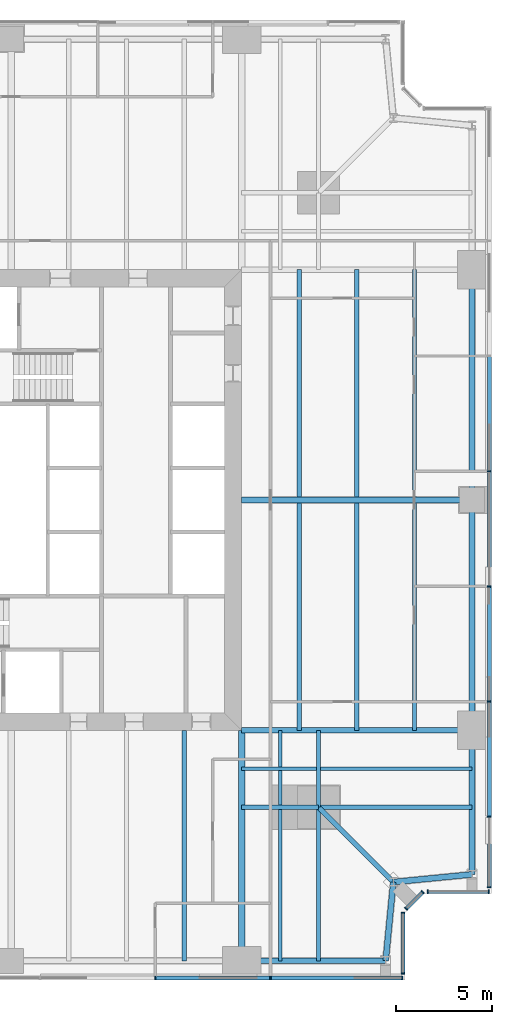
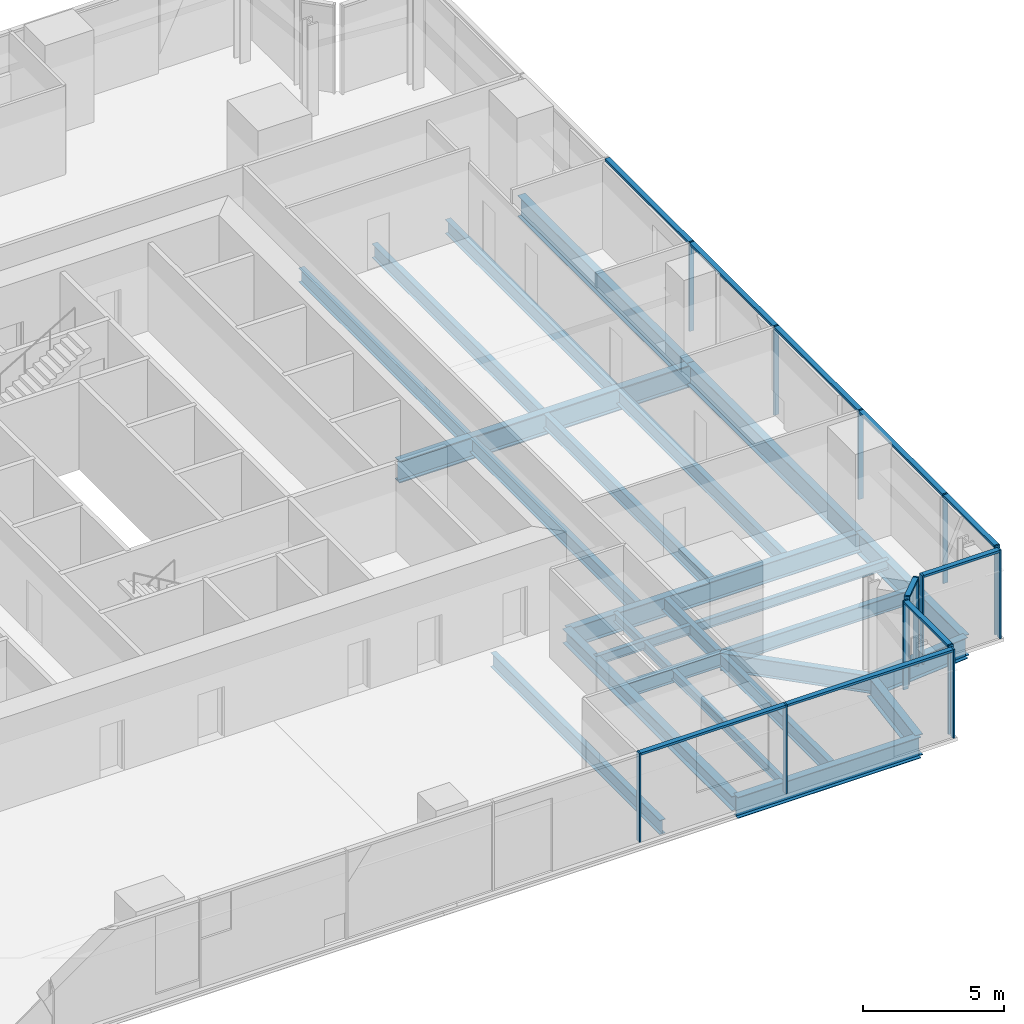
# One storey, part 5 of 14: 26 beams, 24 members, 5 elements without a shape of their own.
"""IFC4 building model written with IfcOpenShell, lengths in metres."""

from ifc_helpers import new_model, si_unit, direction, frame, origin, origin_2d, place, context, subcontext, project, spatial, rectangle, i_section, extrude, material, material_profile, profile_set, type_object, element, aggregate, save


model = new_model("IFC4")

# Units and contexts
model_context = context("Model", 3, precision=1e-05, world=origin(), true_north=direction((0.0, 1.0)))
body_context = subcontext(model_context, "Body", "Model", "MODEL_VIEW")
ifc_project = project(units=[si_unit("LENGTHUNIT", "METRE"), si_unit("AREAUNIT", "SQUARE_METRE"), si_unit("VOLUMEUNIT", "CUBIC_METRE"), si_unit("PLANEANGLEUNIT", "RADIAN"), si_unit("MASSUNIT", "GRAM", prefix="KILO")], contexts=[model_context])

# Site, building, storey
site_placement = place(None, origin())
site = spatial("IfcSite", under=ifc_project, at=site_placement, CompositionType="ELEMENT")
building_placement = place(site_placement, origin())
building = spatial("IfcBuilding", under=site, at=building_placement, Name="Fenwick Lantern Interchange", CompositionType="ELEMENT")
storey_placement = place(building_placement, frame((0.0, 0.0, 134.39990234375)))
storey = spatial("IfcBuildingStorey", under=building, at=storey_placement, Name="L31", CompositionType="ELEMENT", Elevation=134.39990234375)

# Beams
ifc_material_1 = material(Name="Steel ASTM A992 Grade 50", Category="steel")
ifc_material_profile_1 = material_profile(ifc_material_1, i_section(OverallWidth=0.3046875, OverallDepth=0.911865234375, WebThickness=0.015869140625, FlangeThickness=0.02392578125, at=origin_2d()), Name="W36X150")
ifc_profile_set_1 = profile_set([ifc_material_profile_1], Name="Steel ASTM A992 Grade 50")
beam_type_1 = type_object("IfcBeamType", Name="EDGE BEAM W36X150", PredefinedType="SPANDREL", material=ifc_profile_set_1)
beam_1_placement = place(storey_placement, frame((37.0, 1.0, -0.605712890625), z_axis=(1.0, 0.0, 0.0), x_axis=(0.0, 1.0, 0.0)))
element("IfcBeam", 1, at=beam_1_placement, inside=storey, type_object=beam_type_1, Name="L31/FR/S/EB4", PredefinedType="SPANDREL", context=body_context, shape_type="SweptSolid", body=[
    extrude(i_section(OverallWidth=0.3046875, OverallDepth=0.911865234375, WebThickness=0.015869140625, FlangeThickness=0.02392578125, at=origin_2d()), origin(), (0.0, 0.0, 1.0), 7.5),
])
for number, where, z_axis, x_axis, name in (
    (2, (44.5, 1.0, -0.605712890625), (0.097074191287, 0.995277148028, 0.0), (-0.995277148028, 0.097074191287, 0.0), "L31/FR/S/EBR1"),
    (3, (44.89990234375, 5.10009765625, -0.605712890625), (0.995277148028, 0.097074191287, 0.0), (-0.097074191287, 0.995277148028, 0.0), "L31/FR/S/EBR2"),
):
    element("IfcBeam", number, at=place(storey_placement, frame(where, z_axis=z_axis, x_axis=x_axis)), inside=storey, type_object=beam_type_1, Name=name, PredefinedType="SPANDREL", context=body_context, shape_type="SweptSolid", body=[
        extrude(i_section(OverallWidth=0.3046875, OverallDepth=0.911865234375, WebThickness=0.015869140625, FlangeThickness=0.02392578125, at=origin_2d()), origin(), (0.0, 0.0, 1.0), 4.11962890625),
    ])
beam_2_placement = place(storey_placement, frame((49.0, 5.5, -0.605712890625), z_axis=(0.0, 1.0, 0.0), x_axis=(-1.0, 0.0, 0.0)))
element("IfcBeam", 4, at=beam_2_placement, inside=storey, type_object=beam_type_1, Name="L31/FR/E/EB1", PredefinedType="SPANDREL", context=body_context, shape_type="SweptSolid", body=[
    extrude(i_section(OverallWidth=0.3046875, OverallDepth=0.911865234375, WebThickness=0.015869140625, FlangeThickness=0.02392578125, at=origin_2d()), origin(), (0.0, 0.0, 1.0), 7.5),
])
for number, where, z_axis, x_axis, name in (
    (5, (49.0, 13.0, -0.605712890625), (0.0, 1.0, 0.0), (-1.0, 0.0, 0.0), "L31/FR/E/EB2"),
    (6, (49.0, 25.0, -0.605712890625), (0.0, 1.0, 0.0), (-1.0, 0.0, 0.0), "L31/FR/E/EB3"),
):
    element("IfcBeam", number, at=place(storey_placement, frame(where, z_axis=z_axis, x_axis=x_axis)), inside=storey, type_object=beam_type_1, Name=name, PredefinedType="SPANDREL", context=body_context, shape_type="SweptSolid", body=[
        extrude(i_section(OverallWidth=0.3046875, OverallDepth=0.911865234375, WebThickness=0.015869140625, FlangeThickness=0.02392578125, at=origin_2d()), origin(), (0.0, 0.0, 1.0), 12.0),
    ])
ifc_material_profile_2 = material_profile(ifc_material_1, i_section(OverallWidth=0.22900390625, OverallDepth=0.612060546875, WebThickness=0.011962890625, FlangeThickness=0.01953125, at=origin_2d()), Name="W24X84")
ifc_profile_set_2 = profile_set([ifc_material_profile_2], Name="Steel ASTM A992 Grade 50")
beam_type_2 = type_object("IfcBeamType", Name="FLOOR BEAM W24X84", PredefinedType="BEAM", material=ifc_profile_set_2)
beam_3_placement = place(storey_placement, frame((34.0, 1.0, -0.4560546875), z_axis=(0.0, 1.0, 0.0), x_axis=(-1.0, 0.0, 0.0)))
element("IfcBeam", 7, at=beam_3_placement, inside=storey, type_object=beam_type_2, Name="L31/FR/S/R08", PredefinedType="BEAM", context=body_context, shape_type="SweptSolid", body=[
    extrude(i_section(OverallWidth=0.22900390625, OverallDepth=0.612060546875, WebThickness=0.011962890625, FlangeThickness=0.01953125, at=origin_2d()), origin(), (0.0, 0.0, 1.0), 12.0),
])
for number, where, z_axis, x_axis, name in (
    (8, (46.0, 13.0, -0.4560546875), (0.0, 1.0, 0.0), (-1.0, 0.0, 0.0), "L31/FR/E/B01"),
    (9, (43.0, 13.0, -0.4560546875), (0.0, 1.0, 0.0), (-1.0, 0.0, 0.0), "L31/FR/E/B02"),
    (10, (40.0, 13.0, -0.4560546875), (0.0, 1.0, 0.0), (-1.0, 0.0, 0.0), "L31/FR/E/B03"),
    (11, (46.0, 25.155029296875, -0.4560546875), (0.0, 1.0, 0.0), (-1.0, 0.0, 0.0), "L31/FR/E/B04"),
    (12, (43.0, 25.155029296875, -0.4560546875), (0.0, 1.0, 0.0), (-1.0, 0.0, 0.0), "L31/FR/E/B05"),
    (13, (40.0, 25.155029296875, -0.4560546875), (0.0, 1.0, 0.0), (-1.0, 0.0, 0.0), "L31/FR/E/B06"),
):
    element("IfcBeam", number, at=place(storey_placement, frame(where, z_axis=z_axis, x_axis=x_axis)), inside=storey, type_object=beam_type_2, Name=name, PredefinedType="BEAM", context=body_context, shape_type="SweptSolid", body=[
        extrude(i_section(OverallWidth=0.22900390625, OverallDepth=0.612060546875, WebThickness=0.011962890625, FlangeThickness=0.01953125, at=origin_2d()), origin(), (0.0, 0.0, 1.0), 11.844970703125),
    ])
ifc_material_profile_3 = material_profile(ifc_material_1, i_section(OverallWidth=0.177734375, OverallDepth=0.406494140625, WebThickness=0.0078125, FlangeThickness=0.012939453125, at=origin_2d()), Name="W16X40")
ifc_profile_set_3 = profile_set([ifc_material_profile_3], Name="Steel ASTM A992 Grade 50")
beam_type_3 = type_object("IfcBeamType", Name="INFILL BEAM W16X40", PredefinedType="JOIST", material=ifc_profile_set_3)
beam_4_placement = place(storey_placement, frame((49.0, 11.0, -0.35302734375), z_axis=(-1.0, 0.0, 0.0), x_axis=(0.0, -1.0, 0.0)))
element("IfcBeam", 14, at=beam_4_placement, inside=storey, type_object=beam_type_3, Name="L31/FR/E/J1", PredefinedType="JOIST", context=body_context, shape_type="SweptSolid", body=[
    extrude(i_section(OverallWidth=0.177734375, OverallDepth=0.406494140625, WebThickness=0.0078125, FlangeThickness=0.012939453125, at=origin_2d()), origin(), (0.0, 0.0, 1.0), 7.885498046875),
])
beam_5_placement = place(storey_placement, frame((40.885498046875, 11.0, -0.35302734375), z_axis=(-1.0, 0.0, 0.0), x_axis=(0.0, -1.0, 0.0)))
element("IfcBeam", 15, at=beam_5_placement, inside=storey, type_object=beam_type_3, Name="L31/FR/E/J2", PredefinedType="JOIST", context=body_context, shape_type="SweptSolid", body=[
    extrude(i_section(OverallWidth=0.177734375, OverallDepth=0.406494140625, WebThickness=0.0078125, FlangeThickness=0.012939453125, at=origin_2d()), origin(), (0.0, 0.0, 1.0), 3.885498046875),
])
beam_6_placement = place(storey_placement, frame((39.0, 1.0, -0.35302734375), z_axis=(0.0, 1.0, 0.0), x_axis=(-1.0, 0.0, 0.0)))
element("IfcBeam", 16, at=beam_6_placement, inside=storey, type_object=beam_type_3, Name="L31/FR/E/J3", PredefinedType="JOIST", context=body_context, shape_type="SweptSolid", body=[
    extrude(i_section(OverallWidth=0.177734375, OverallDepth=0.406494140625, WebThickness=0.0078125, FlangeThickness=0.012939453125, at=origin_2d()), origin(), (0.0, 0.0, 1.0), 7.885498046875),
])
beam_7_placement = place(storey_placement, frame((39.0, 9.114501953125, -0.35302734375), z_axis=(0.0, 1.0, 0.0), x_axis=(-1.0, 0.0, 0.0)))
element("IfcBeam", 17, at=beam_7_placement, inside=storey, type_object=beam_type_3, Name="L31/FR/E/J4", PredefinedType="JOIST", context=body_context, shape_type="SweptSolid", body=[
    extrude(i_section(OverallWidth=0.177734375, OverallDepth=0.406494140625, WebThickness=0.0078125, FlangeThickness=0.012939453125, at=origin_2d()), origin(), (0.0, 0.0, 1.0), 1.796630859375),
])
beam_8_placement = place(storey_placement, frame((39.0, 11.0888671875, -0.35302734375), z_axis=(0.0, 1.0, 0.0), x_axis=(-1.0, 0.0, 0.0)))
element("IfcBeam", 18, at=beam_8_placement, inside=storey, type_object=beam_type_3, Name="L31/FR/E/J5", PredefinedType="JOIST", context=body_context, shape_type="SweptSolid", body=[
    extrude(i_section(OverallWidth=0.177734375, OverallDepth=0.406494140625, WebThickness=0.0078125, FlangeThickness=0.012939453125, at=origin_2d()), origin(), (0.0, 0.0, 1.0), 1.9111328125),
])
ifc_material_profile_4 = material_profile(ifc_material_1, i_section(OverallWidth=0.22900390625, OverallDepth=0.612060546875, WebThickness=0.011962890625, FlangeThickness=0.01953125, at=origin_2d()), Name="W24X84")
ifc_profile_set_4 = profile_set([ifc_material_profile_4], Name="Steel ASTM A992 Grade 50")
beam_type_4 = type_object("IfcBeamType", Name="MEGA COLUMN BEAM W24X84", PredefinedType="BEAM", material=ifc_profile_set_4)
for number, where, z_axis, x_axis, name in (
    (19, (41.0, 9.0, -0.4560546875), (1.0, 0.0, 0.0), (0.0, 1.0, 0.0), "L31/FR/E/MB1"),
    (20, (41.0, 9.0, -0.4560546875), (0.0, -1.0, 0.0), (1.0, 0.0, 0.0), "L31/FR/E/MB2"),
):
    element("IfcBeam", number, at=place(storey_placement, frame(where, z_axis=z_axis, x_axis=x_axis)), inside=storey, type_object=beam_type_4, Name=name, PredefinedType="BEAM", context=body_context, shape_type="SweptSolid", body=[
        extrude(i_section(OverallWidth=0.22900390625, OverallDepth=0.612060546875, WebThickness=0.011962890625, FlangeThickness=0.01953125, at=origin_2d()), origin(), (0.0, 0.0, 1.0), 8.0),
    ])
for number, where, z_axis, x_axis, name in (
    (21, (41.0, 9.0, -0.4560546875), (0.0, 1.0, 0.0), (-1.0, 0.0, 0.0), "L31/FR/E/MB3"),
    (22, (41.0, 9.0, -0.4560546875), (-1.0, 0.0, 0.0), (0.0, -1.0, 0.0), "L31/FR/E/MB4"),
):
    element("IfcBeam", number, at=place(storey_placement, frame(where, z_axis=z_axis, x_axis=x_axis)), inside=storey, type_object=beam_type_4, Name=name, PredefinedType="BEAM", context=body_context, shape_type="SweptSolid", body=[
        extrude(i_section(OverallWidth=0.22900390625, OverallDepth=0.612060546875, WebThickness=0.011962890625, FlangeThickness=0.01953125, at=origin_2d()), origin(), (0.0, 0.0, 1.0), 4.0),
    ])
ifc_material_profile_5 = material_profile(ifc_material_1, i_section(OverallWidth=0.32763671875, OverallDepth=0.622314453125, WebThickness=0.015380859375, FlangeThickness=0.0244140625, at=origin_2d()), Name="W24X131")
ifc_profile_set_5 = profile_set([ifc_material_profile_5], Name="Steel ASTM A992 Grade 50")
beam_type_5 = type_object("IfcBeamType", Name="MOMENT-CONNECTED GIRDER W24X131", PredefinedType="BEAM", material=ifc_profile_set_5)
beam_9_placement = place(storey_placement, frame((37.0, 1.0, -0.4609375), z_axis=(0.0, 1.0, 0.0), x_axis=(-1.0, 0.0, 0.0)))
element("IfcBeam", 23, at=beam_9_placement, inside=storey, type_object=beam_type_5, Name="L31/FR/S/R09", PredefinedType="BEAM", context=body_context, shape_type="SweptSolid", body=[
    extrude(i_section(OverallWidth=0.32763671875, OverallDepth=0.622314453125, WebThickness=0.015380859375, FlangeThickness=0.0244140625, at=origin_2d()), origin(), (0.0, 0.0, 1.0), 12.0),
])
ifc_material_profile_6 = material_profile(ifc_material_1, i_section(OverallWidth=0.2919921875, OverallDepth=0.845703125, WebThickness=0.015380859375, FlangeThickness=0.0244140625, at=origin_2d()), Name="W33X141")
ifc_profile_set_6 = profile_set([ifc_material_profile_6], Name="Steel ASTM A992 Grade 50")
beam_type_6 = type_object("IfcBeamType", Name="MOMENT-CONNECTED GIRDER W33X141", PredefinedType="BEAM", material=ifc_profile_set_6)
beam_10_placement = place(storey_placement, frame((49.0, 13.0, -0.57275390625), z_axis=(-1.0, 0.0, 0.0), x_axis=(0.0, -1.0, 0.0)))
element("IfcBeam", 24, at=beam_10_placement, inside=storey, type_object=beam_type_6, Name="L31/FR/E/R01", PredefinedType="BEAM", context=body_context, shape_type="SweptSolid", body=[
    extrude(i_section(OverallWidth=0.2919921875, OverallDepth=0.845703125, WebThickness=0.015380859375, FlangeThickness=0.0244140625, at=origin_2d()), origin(), (0.0, 0.0, 1.0), 12.0),
])
ifc_material_profile_7 = material_profile(ifc_material_1, i_section(OverallWidth=0.309814453125, OverallDepth=0.949951171875, WebThickness=0.0244140625, FlangeThickness=0.0439453125, at=origin_2d()), Name="W36X256")
ifc_profile_set_7 = profile_set([ifc_material_profile_7], Name="Steel ASTM A992 Grade 50")
beam_type_7 = type_object("IfcBeamType", Name="MOMENT-CONNECTED GIRDER W36X256", PredefinedType="BEAM", material=ifc_profile_set_7)
beam_11_placement = place(storey_placement, frame((49.0, 25.0, -0.625), z_axis=(-1.0, 0.0, 0.0), x_axis=(0.0, -1.0, 0.0)))
element("IfcBeam", 25, at=beam_11_placement, inside=storey, type_object=beam_type_7, Name="L31/FR/E/R02", PredefinedType="BEAM", context=body_context, shape_type="SweptSolid", body=[
    extrude(i_section(OverallWidth=0.309814453125, OverallDepth=0.949951171875, WebThickness=0.0244140625, FlangeThickness=0.0439453125, at=origin_2d()), origin(), (0.0, 0.0, 1.0), 12.0),
])
ifc_material_profile_8 = material_profile(ifc_material_1, i_section(OverallWidth=0.2666015625, OverallDepth=0.7568359375, WebThickness=0.013916015625, FlangeThickness=0.019287109375, at=origin_2d()), Name="W30X108")
ifc_profile_set_8 = profile_set([ifc_material_profile_8], Name="Steel ASTM A992 Grade 50")
beam_type_8 = type_object("IfcBeamType", Name="NOTCH BEAM W30X108", PredefinedType="BEAM", material=ifc_profile_set_8)
beam_12_placement = place(storey_placement, frame((41.0, 9.0, -0.5283203125), z_axis=(0.707106781187, -0.707106781187, 0.0), x_axis=(0.707106781187, 0.707106781187, 0.0)))
element("IfcBeam", 26, at=beam_12_placement, inside=storey, type_object=beam_type_8, Name="L31/FR/E/TG", PredefinedType="BEAM", context=body_context, shape_type="SweptSolid", body=[
    extrude(i_section(OverallWidth=0.2666015625, OverallDepth=0.7568359375, WebThickness=0.013916015625, FlangeThickness=0.019287109375, at=origin_2d()), origin(), (0.0, 0.0, 1.0), 5.515380859375),
])

# Curtain wall, members
ifc_material_2 = material(Name="Aluminium curtain wall frame", Category="aluminium")
curtain_wall_type = type_object("IfcCurtainWallType", Name="OFFICE CURTAIN WALL", PredefinedType="USERDEFINED", material=ifc_material_2)
curtain_wall_1_placement = place(storey_placement, origin())
curtain_wall_1 = element("IfcCurtainWall", 27, at=curtain_wall_1_placement, inside=storey, type_object=curtain_wall_type, Name="Office curtain wall 01", ObjectType="OFFICE CURTAIN WALL", PredefinedType="USERDEFINED")
ifc_material_3 = material(Name="Aluminium extrusion", Category="aluminium")
ifc_material_profile_9 = material_profile(ifc_material_3, rectangle(XDim=0.199951171875, YDim=0.06494140625, at=origin_2d()), Name="OFFICE CURTAIN WALL MULLION 65 X 200")
ifc_profile_set_9 = profile_set([ifc_material_profile_9], Name="Aluminium extrusion")
member_type_1 = type_object("IfcMemberType", Name="OFFICE CURTAIN WALL MULLION 65 X 200", PredefinedType="MULLION", material=ifc_profile_set_9)
member_1_placement = place(storey_placement, frame((32.5, 0.10009765625, 0.0), z_axis=(0.0, 0.0, 1.0), x_axis=(0.0, 1.0, 0.0)))
member_1 = element("IfcMember", 28, at=member_1_placement, type_object=member_type_1, Name="L31/CW/01/M05", PredefinedType="MULLION", context=body_context, shape_type="SweptSolid", body=[
    extrude(rectangle(XDim=0.199951171875, YDim=0.06494140625, at=origin_2d()), origin(), (0.0, 0.0, 1.0), 3.85009765625),
])
member_2_placement = place(storey_placement, frame((38.5, 0.10009765625, 0.0), z_axis=(0.0, 0.0, 1.0), x_axis=(0.0, 1.0, 0.0)))
member_2 = element("IfcMember", 29, at=member_2_placement, type_object=member_type_1, Name="L31/CW/01/M06", PredefinedType="MULLION", context=body_context, shape_type="SweptSolid", body=[
    extrude(rectangle(XDim=0.199951171875, YDim=0.06494140625, at=origin_2d()), origin(), (0.0, 0.0, 1.0), 3.85009765625),
])
member_3_placement = place(storey_placement, frame((45.367431640625, 0.10009765625, 0.0), z_axis=(0.0, 0.0, 1.0), x_axis=(0.0, 1.0, 0.0)))
member_3 = element("IfcMember", 30, at=member_3_placement, type_object=member_type_1, Name="L31/CW/01/M07", PredefinedType="MULLION", context=body_context, shape_type="SweptSolid", body=[
    extrude(rectangle(XDim=0.199951171875, YDim=0.06494140625, at=origin_2d()), origin(), (0.0, 0.0, 1.0), 3.85009765625),
])

curtain_wall_2_placement = place(storey_placement, origin())
curtain_wall_2 = element("IfcCurtainWall", 31, at=curtain_wall_2_placement, inside=storey, type_object=curtain_wall_type, Name="Office curtain wall 02", ObjectType="OFFICE CURTAIN WALL", PredefinedType="USERDEFINED")
member_4_placement = place(storey_placement, frame((45.39990234375, 0.33251953125, 0.0), z_axis=(0.0, 0.0, 1.0), x_axis=(-1.0, 0.0, 0.0)))
member_4 = element("IfcMember", 32, at=member_4_placement, type_object=member_type_1, Name="L31/CW/02/M00", PredefinedType="MULLION", context=body_context, shape_type="SweptSolid", body=[
    extrude(rectangle(XDim=0.199951171875, YDim=0.06494140625, at=origin_2d()), origin(), (0.0, 0.0, 1.0), 3.85009765625),
])
member_5_placement = place(storey_placement, frame((45.39990234375, 3.509033203125, 0.0), z_axis=(0.0, 0.0, 1.0), x_axis=(-1.0, 0.0, 0.0)))
member_5 = element("IfcMember", 33, at=member_5_placement, type_object=member_type_1, Name="L31/CW/02/M01", PredefinedType="MULLION", context=body_context, shape_type="SweptSolid", body=[
    extrude(rectangle(XDim=0.199951171875, YDim=0.06494140625, at=origin_2d()), origin(), (0.0, 0.0, 1.0), 3.85009765625),
])

curtain_wall_3_placement = place(storey_placement, origin())
curtain_wall_3 = element("IfcCurtainWall", 34, at=curtain_wall_3_placement, inside=storey, type_object=curtain_wall_type, Name="Office curtain wall 03", ObjectType="OFFICE CURTAIN WALL", PredefinedType="USERDEFINED")
member_6_placement = place(storey_placement, frame((45.564453125, 3.705810546875, 0.0), z_axis=(0.0, 0.0, 1.0), x_axis=(-0.707106781187, 0.707106781187, 0.0)))
member_6 = element("IfcMember", 35, at=member_6_placement, type_object=member_type_1, Name="L31/CW/03/M00", PredefinedType="MULLION", context=body_context, shape_type="SweptSolid", body=[
    extrude(rectangle(XDim=0.199951171875, YDim=0.06494140625, at=origin_2d()), origin(), (0.0, 0.0, 1.0), 3.85009765625),
])
member_7_placement = place(storey_placement, frame((46.435546875, 4.576904296875, 0.0), z_axis=(0.0, 0.0, 1.0), x_axis=(-0.707106781187, 0.707106781187, 0.0)))
member_7 = element("IfcMember", 36, at=member_7_placement, type_object=member_type_1, Name="L31/CW/03/M01", PredefinedType="MULLION", context=body_context, shape_type="SweptSolid", body=[
    extrude(rectangle(XDim=0.199951171875, YDim=0.06494140625, at=origin_2d()), origin(), (0.0, 0.0, 1.0), 3.85009765625),
])

curtain_wall_4_placement = place(storey_placement, origin())
curtain_wall_4 = element("IfcCurtainWall", 37, at=curtain_wall_4_placement, inside=storey, type_object=curtain_wall_type, Name="Office curtain wall 04", ObjectType="OFFICE CURTAIN WALL", PredefinedType="USERDEFINED")
member_8_placement = place(storey_placement, frame((46.691162109375, 4.60009765625, 0.0), z_axis=(0.0, 0.0, 1.0), x_axis=(0.0, 1.0, 0.0)))
member_8 = element("IfcMember", 38, at=member_8_placement, type_object=member_type_1, Name="L31/CW/04/M00", PredefinedType="MULLION", context=body_context, shape_type="SweptSolid", body=[
    extrude(rectangle(XDim=0.199951171875, YDim=0.06494140625, at=origin_2d()), origin(), (0.0, 0.0, 1.0), 3.85009765625),
])
member_9_placement = place(storey_placement, frame((49.867431640625, 4.60009765625, 0.0), z_axis=(0.0, 0.0, 1.0), x_axis=(0.0, 1.0, 0.0)))
member_9 = element("IfcMember", 39, at=member_9_placement, type_object=member_type_1, Name="L31/CW/04/M01", PredefinedType="MULLION", context=body_context, shape_type="SweptSolid", body=[
    extrude(rectangle(XDim=0.199951171875, YDim=0.06494140625, at=origin_2d()), origin(), (0.0, 0.0, 1.0), 3.85009765625),
])

curtain_wall_5_placement = place(storey_placement, origin())
curtain_wall_5 = element("IfcCurtainWall", 40, at=curtain_wall_5_placement, inside=storey, type_object=curtain_wall_type, Name="Office curtain wall 05", ObjectType="OFFICE CURTAIN WALL", PredefinedType="USERDEFINED")
member_10_placement = place(storey_placement, frame((49.89990234375, 4.83251953125, 0.0), z_axis=(0.0, 0.0, 1.0), x_axis=(-1.0, 0.0, 0.0)))
member_10 = element("IfcMember", 41, at=member_10_placement, type_object=member_type_1, Name="L31/CW/05/M00", PredefinedType="MULLION", context=body_context, shape_type="SweptSolid", body=[
    extrude(rectangle(XDim=0.199951171875, YDim=0.06494140625, at=origin_2d()), origin(), (0.0, 0.0, 1.0), 3.85009765625),
])
member_11_placement = place(storey_placement, frame((49.89990234375, 8.5, 0.0), z_axis=(0.0, 0.0, 1.0), x_axis=(-1.0, 0.0, 0.0)))
member_11 = element("IfcMember", 42, at=member_11_placement, type_object=member_type_1, Name="L31/CW/05/M01", PredefinedType="MULLION", context=body_context, shape_type="SweptSolid", body=[
    extrude(rectangle(XDim=0.199951171875, YDim=0.06494140625, at=origin_2d()), origin(), (0.0, 0.0, 1.0), 3.85009765625),
])
member_12_placement = place(storey_placement, frame((49.89990234375, 14.5, 0.0), z_axis=(0.0, 0.0, 1.0), x_axis=(-1.0, 0.0, 0.0)))
member_12 = element("IfcMember", 43, at=member_12_placement, type_object=member_type_1, Name="L31/CW/05/M02", PredefinedType="MULLION", context=body_context, shape_type="SweptSolid", body=[
    extrude(rectangle(XDim=0.199951171875, YDim=0.06494140625, at=origin_2d()), origin(), (0.0, 0.0, 1.0), 3.85009765625),
])
member_13_placement = place(storey_placement, frame((49.89990234375, 20.5, 0.0), z_axis=(0.0, 0.0, 1.0), x_axis=(-1.0, 0.0, 0.0)))
member_13 = element("IfcMember", 44, at=member_13_placement, type_object=member_type_1, Name="L31/CW/05/M03", PredefinedType="MULLION", context=body_context, shape_type="SweptSolid", body=[
    extrude(rectangle(XDim=0.199951171875, YDim=0.06494140625, at=origin_2d()), origin(), (0.0, 0.0, 1.0), 3.85009765625),
])
member_14_placement = place(storey_placement, frame((49.89990234375, 26.5, 0.0), z_axis=(0.0, 0.0, 1.0), x_axis=(-1.0, 0.0, 0.0)))
member_14 = element("IfcMember", 45, at=member_14_placement, type_object=member_type_1, Name="L31/CW/05/M04", PredefinedType="MULLION", context=body_context, shape_type="SweptSolid", body=[
    extrude(rectangle(XDim=0.199951171875, YDim=0.06494140625, at=origin_2d()), origin(), (0.0, 0.0, 1.0), 3.85009765625),
])

# Member
ifc_material_profile_10 = material_profile(ifc_material_3, rectangle(XDim=0.199951171875, YDim=0.10009765625, at=origin_2d()), Name="OFFICE CURTAIN WALL TRANSOM 100 X 200")
ifc_profile_set_10 = profile_set([ifc_material_profile_10], Name="Aluminium extrusion")
member_type_2 = type_object("IfcMemberType", Name="OFFICE CURTAIN WALL TRANSOM 100 X 200", PredefinedType="MULLION", material=ifc_profile_set_10)
member_15_placement = place(storey_placement, frame((32.532470703125, 0.10009765625, 3.800048828125), z_axis=(1.0, 0.0, 0.0), x_axis=(0.0, 1.0, 0.0)))
member_15 = element("IfcMember", 46, at=member_15_placement, type_object=member_type_2, Name="L31/CW/01/T05", PredefinedType="MULLION", context=body_context, shape_type="SweptSolid", body=[
    extrude(rectangle(XDim=0.199951171875, YDim=0.10009765625, at=origin_2d()), origin(), (0.0, 0.0, 1.0), 5.93505859375),
])

member_16_placement = place(storey_placement, frame((38.532470703125, 0.10009765625, 3.800048828125), z_axis=(1.0, 0.0, 0.0), x_axis=(0.0, 1.0, 0.0)))
member_16 = element("IfcMember", 47, at=member_16_placement, type_object=member_type_2, Name="L31/CW/01/T06", PredefinedType="MULLION", context=body_context, shape_type="SweptSolid", body=[
    extrude(rectangle(XDim=0.199951171875, YDim=0.10009765625, at=origin_2d()), origin(), (0.0, 0.0, 1.0), 6.802490234375),
])

aggregate(curtain_wall_1, [member_1, member_2, member_3, member_15, member_16])

member_17_placement = place(storey_placement, frame((45.39990234375, 0.364990234375, 3.800048828125), z_axis=(0.0, 1.0, 0.0), x_axis=(-1.0, 0.0, 0.0)))
member_17 = element("IfcMember", 48, at=member_17_placement, type_object=member_type_2, Name="L31/CW/02/T00", PredefinedType="MULLION", context=body_context, shape_type="SweptSolid", body=[
    extrude(rectangle(XDim=0.199951171875, YDim=0.10009765625, at=origin_2d()), origin(), (0.0, 0.0, 1.0), 3.111328125),
])

aggregate(curtain_wall_2, [member_4, member_5, member_17])

member_18_placement = place(storey_placement, frame((45.58740234375, 3.728759765625, 3.800048828125), z_axis=(0.707106781187, 0.707106781187, 0.0), x_axis=(-0.707106781187, 0.707106781187, 0.0)))
member_18 = element("IfcMember", 49, at=member_18_placement, type_object=member_type_2, Name="L31/CW/03/T00", PredefinedType="MULLION", context=body_context, shape_type="SweptSolid", body=[
    extrude(rectangle(XDim=0.199951171875, YDim=0.10009765625, at=origin_2d()), origin(), (0.0, 0.0, 1.0), 1.1669921875),
])

aggregate(curtain_wall_3, [member_6, member_7, member_18])

member_19_placement = place(storey_placement, frame((46.7236328125, 4.60009765625, 3.800048828125), z_axis=(1.0, 0.0, 0.0), x_axis=(0.0, 1.0, 0.0)))
member_19 = element("IfcMember", 50, at=member_19_placement, type_object=member_type_2, Name="L31/CW/04/T00", PredefinedType="MULLION", context=body_context, shape_type="SweptSolid", body=[
    extrude(rectangle(XDim=0.199951171875, YDim=0.10009765625, at=origin_2d()), origin(), (0.0, 0.0, 1.0), 3.111328125),
])

aggregate(curtain_wall_4, [member_8, member_9, member_19])

member_20_placement = place(storey_placement, frame((49.89990234375, 4.864990234375, 3.800048828125), z_axis=(0.0, 1.0, 0.0), x_axis=(-1.0, 0.0, 0.0)))
member_20 = element("IfcMember", 51, at=member_20_placement, type_object=member_type_2, Name="L31/CW/05/T00", PredefinedType="MULLION", context=body_context, shape_type="SweptSolid", body=[
    extrude(rectangle(XDim=0.199951171875, YDim=0.10009765625, at=origin_2d()), origin(), (0.0, 0.0, 1.0), 3.6025390625),
])

member_21_placement = place(storey_placement, frame((49.89990234375, 8.532470703125, 3.800048828125), z_axis=(0.0, 1.0, 0.0), x_axis=(-1.0, 0.0, 0.0)))
member_21 = element("IfcMember", 52, at=member_21_placement, type_object=member_type_2, Name="L31/CW/05/T01", PredefinedType="MULLION", context=body_context, shape_type="SweptSolid", body=[
    extrude(rectangle(XDim=0.199951171875, YDim=0.10009765625, at=origin_2d()), origin(), (0.0, 0.0, 1.0), 5.93505859375),
])

member_22_placement = place(storey_placement, frame((49.89990234375, 14.532470703125, 3.800048828125), z_axis=(0.0, 1.0, 0.0), x_axis=(-1.0, 0.0, 0.0)))
member_22 = element("IfcMember", 53, at=member_22_placement, type_object=member_type_2, Name="L31/CW/05/T02", PredefinedType="MULLION", context=body_context, shape_type="SweptSolid", body=[
    extrude(rectangle(XDim=0.199951171875, YDim=0.10009765625, at=origin_2d()), origin(), (0.0, 0.0, 1.0), 5.93505859375),
])

member_23_placement = place(storey_placement, frame((49.89990234375, 20.532470703125, 3.800048828125), z_axis=(0.0, 1.0, 0.0), x_axis=(-1.0, 0.0, 0.0)))
member_23 = element("IfcMember", 54, at=member_23_placement, type_object=member_type_2, Name="L31/CW/05/T03", PredefinedType="MULLION", context=body_context, shape_type="SweptSolid", body=[
    extrude(rectangle(XDim=0.199951171875, YDim=0.10009765625, at=origin_2d()), origin(), (0.0, 0.0, 1.0), 5.93505859375),
])

member_24_placement = place(storey_placement, frame((49.89990234375, 26.532470703125, 3.800048828125), z_axis=(0.0, 1.0, 0.0), x_axis=(-1.0, 0.0, 0.0)))
member_24 = element("IfcMember", 55, at=member_24_placement, type_object=member_type_2, Name="L31/CW/05/T04", PredefinedType="MULLION", context=body_context, shape_type="SweptSolid", body=[
    extrude(rectangle(XDim=0.199951171875, YDim=0.10009765625, at=origin_2d()), origin(), (0.0, 0.0, 1.0), 5.93505859375),
])

aggregate(curtain_wall_5, [member_10, member_11, member_12, member_13, member_14, member_20, member_21, member_22, member_23, member_24])

save(model, "model.ifc")
